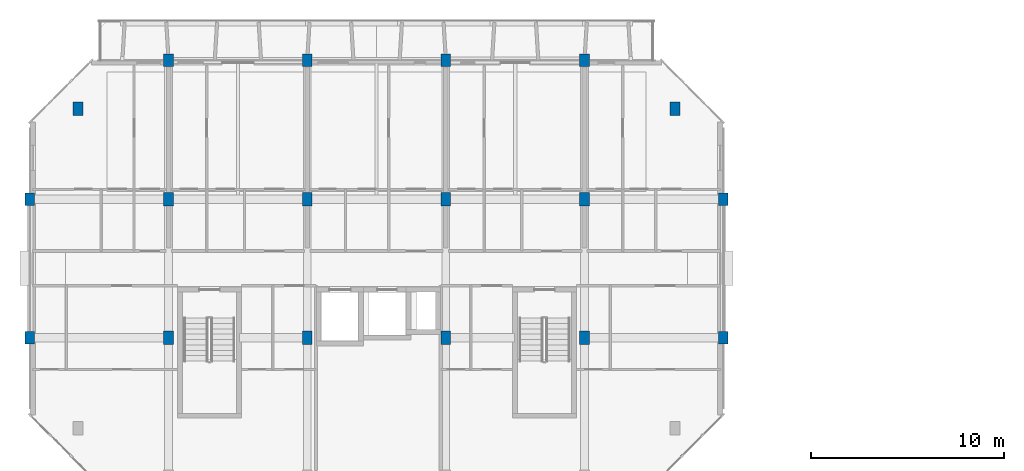
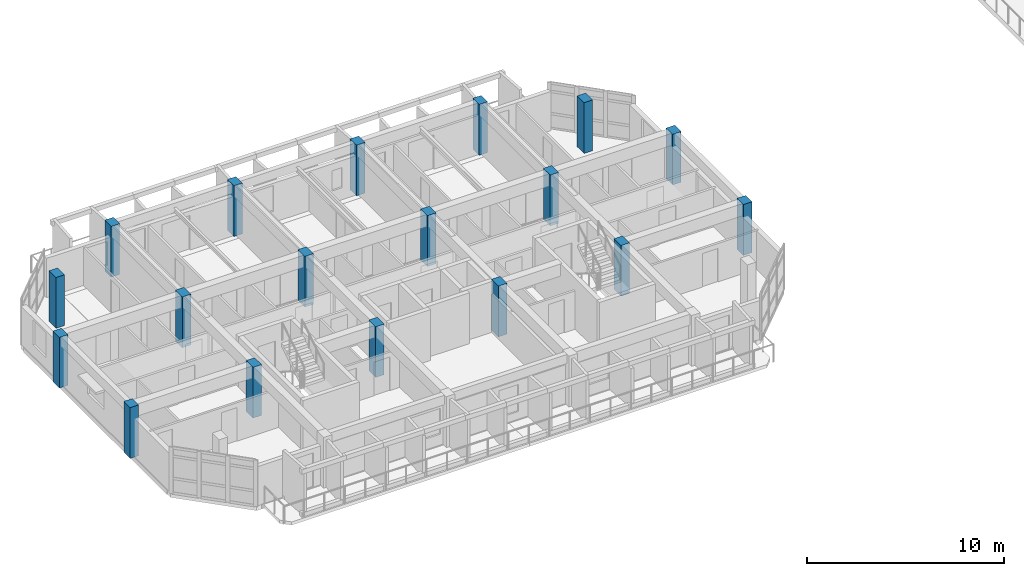
# One storey, part 3 of 64: 18 columns.
"""IFC4 building model written with IfcOpenShell, lengths in metres."""

from ifc_helpers import new_model, si_unit, direction, frame, origin, origin_2d, place, context, subcontext, project, spatial, rectangle, extrude, material, material_profile, profile_set, type_object, element, save


model = new_model("IFC4")

# Units and contexts
model_context = context("Model", 3, precision=1e-05, world=origin(), true_north=direction((0.0, 1.0)))
body_context = subcontext(model_context, "Body", "Model", "MODEL_VIEW")
ifc_project = project(units=[si_unit("LENGTHUNIT", "METRE"), si_unit("AREAUNIT", "SQUARE_METRE"), si_unit("VOLUMEUNIT", "CUBIC_METRE"), si_unit("PLANEANGLEUNIT", "RADIAN"), si_unit("MASSUNIT", "GRAM", prefix="KILO")], contexts=[model_context])

# Site, building, storey
site_placement = place(None, origin())
site = spatial("IfcSite", under=ifc_project, at=site_placement, CompositionType="ELEMENT")
building_placement = place(site_placement, origin())
building = spatial("IfcBuilding", under=site, at=building_placement, Name="Ochrevale Crest", CompositionType="ELEMENT")
storey_placement = place(building_placement, frame((0.0, 0.0, 8.699951171875)))
storey = spatial("IfcBuildingStorey", under=building, at=storey_placement, Name="L02", CompositionType="ELEMENT", Elevation=8.699951171875)

# Columns
ifc_material = material(Name="Precast concrete C50/60", Category="concrete")
ifc_material_profile_1 = material_profile(ifc_material, rectangle(XDim=0.5, YDim=0.64990234375, at=origin_2d()), Name="RC 500x650")
ifc_profile_set_1 = profile_set([ifc_material_profile_1], Name="Precast concrete C50/60")
column_type_1 = type_object("IfcColumnType", Name="COL-RC500x650", PredefinedType="COLUMN", material=ifc_profile_set_1)
for number, where, z_axis, x_axis, name in (
    (1, (0.0, 79.199951171875, 0.0), (0.0, 0.0, 1.0), (1.0, 0.0, 0.0), "Block B L02 column (0.0,79.2)"),
    (2, (0.0, 86.39990234375, 0.0), (0.0, 0.0, 1.0), (1.0, 0.0, 0.0), "Block B L02 column (0.0,86.4)"),
    (3, (7.199951171875, 93.60009765625, 0.0), (0.0, 0.0, 1.0), (1.0, 0.0, 0.0), "Block B L02 column (7.2,93.6)"),
    (4, (14.39990234375, 93.60009765625, 0.0), (0.0, 0.0, 1.0), (1.0, 0.0, 0.0), "Block B L02 column (14.4,93.6)"),
    (5, (21.60009765625, 93.60009765625, 0.0), (0.0, 0.0, 1.0), (1.0, 0.0, 0.0), "Block B L02 column (21.6,93.6)"),
    (6, (28.800048828125, 93.60009765625, 0.0), (0.0, 0.0, 1.0), (1.0, 0.0, 0.0), "Block B L02 column (28.8,93.6)"),
    (7, (36.0, 79.199951171875, 0.0), (0.0, 0.0, 1.0), (1.0, 0.0, 0.0), "Block B L02 column (36.0,79.2)"),
    (8, (36.0, 86.39990234375, 0.0), (0.0, 0.0, 1.0), (1.0, 0.0, 0.0), "Block B L02 column (36.0,86.4)"),
):
    element("IfcColumn", number, at=place(storey_placement, frame(where, z_axis=z_axis, x_axis=x_axis)), inside=storey, type_object=column_type_1, Name=name, PredefinedType="COLUMN", context=body_context, shape_type="SweptSolid", body=[
        extrude(rectangle(XDim=0.5, YDim=0.64990234375, at=origin_2d()), origin(), (0.0, 0.0, 1.0), 3.150146484375),
    ])
ifc_material_profile_2 = material_profile(ifc_material, rectangle(XDim=0.5, YDim=0.699951171875, at=origin_2d()), Name="RC 500x700")
ifc_profile_set_2 = profile_set([ifc_material_profile_2], Name="Precast concrete C50/60")
column_type_2 = type_object("IfcColumnType", Name="COL-RC500x700", PredefinedType="COLUMN", material=ifc_profile_set_2)
for number, where, z_axis, x_axis, name in (
    (9, (2.5, 91.10009765625, 0.0), (0.0, 0.0, 1.0), (1.0, 0.0, 0.0), "Block B L02 column (2.5,91.1)"),
    (10, (7.199951171875, 79.199951171875, 0.0), (0.0, 0.0, 1.0), (1.0, 0.0, 0.0), "Block B L02 column (7.2,79.2)"),
    (11, (7.199951171875, 86.39990234375, 0.0), (0.0, 0.0, 1.0), (1.0, 0.0, 0.0), "Block B L02 column (7.2,86.4)"),
    (12, (14.39990234375, 79.199951171875, 0.0), (0.0, 0.0, 1.0), (1.0, 0.0, 0.0), "Block B L02 column (14.4,79.2)"),
    (13, (14.39990234375, 86.39990234375, 0.0), (0.0, 0.0, 1.0), (1.0, 0.0, 0.0), "Block B L02 column (14.4,86.4)"),
    (14, (21.60009765625, 79.199951171875, 0.0), (0.0, 0.0, 1.0), (1.0, 0.0, 0.0), "Block B L02 column (21.6,79.2)"),
    (15, (21.60009765625, 86.39990234375, 0.0), (0.0, 0.0, 1.0), (1.0, 0.0, 0.0), "Block B L02 column (21.6,86.4)"),
    (16, (28.800048828125, 79.199951171875, 0.0), (0.0, 0.0, 1.0), (1.0, 0.0, 0.0), "Block B L02 column (28.8,79.2)"),
    (17, (28.800048828125, 86.39990234375, 0.0), (0.0, 0.0, 1.0), (1.0, 0.0, 0.0), "Block B L02 column (28.8,86.4)"),
    (18, (33.5, 91.10009765625, 0.0), (0.0, 0.0, 1.0), (1.0, 0.0, 0.0), "Block B L02 column (33.5,91.1)"),
):
    element("IfcColumn", number, at=place(storey_placement, frame(where, z_axis=z_axis, x_axis=x_axis)), inside=storey, type_object=column_type_2, Name=name, PredefinedType="COLUMN", context=body_context, shape_type="SweptSolid", body=[
        extrude(rectangle(XDim=0.5, YDim=0.699951171875, at=origin_2d()), origin(), (0.0, 0.0, 1.0), 3.150146484375),
    ])

save(model, "model.ifc")
